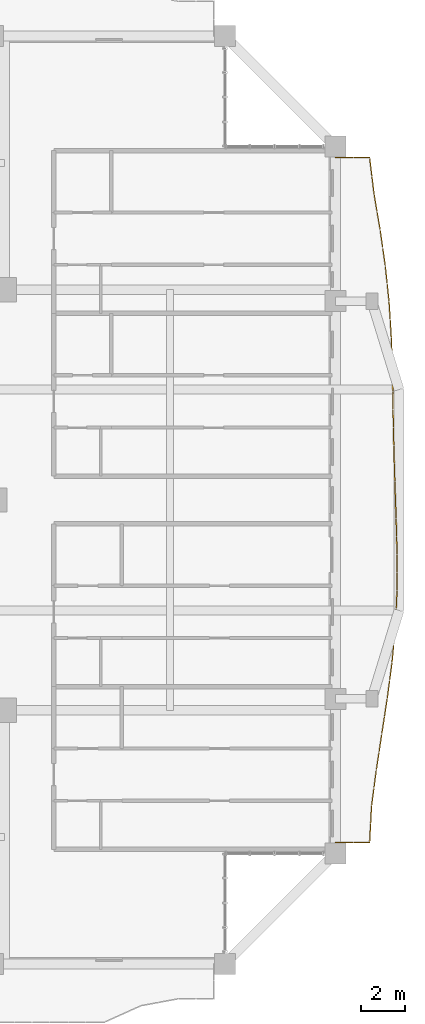
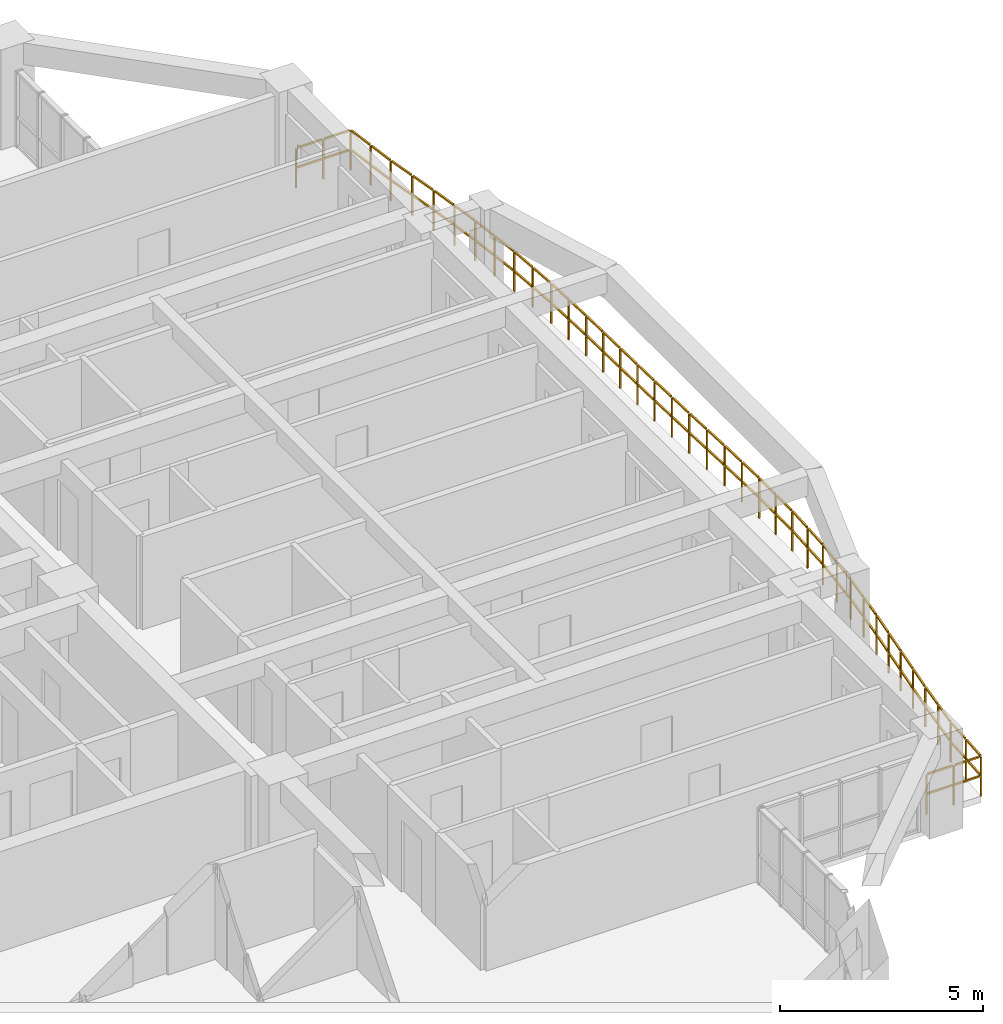
# One storey, part 22 of 23: 1 railing.
"""IFC4 building model written with IfcOpenShell, lengths in metres."""

from ifc_helpers import new_model, si_unit, direction, frame, origin, origin_2d, place, context, subcontext, project, spatial, rectangle, extrude, material, type_object, element, save


model = new_model("IFC4")

# Units and contexts
model_context = context("Model", 3, precision=1e-05, world=origin(), true_north=direction((0.0, 1.0)))
body_context = subcontext(model_context, "Body", "Model", "MODEL_VIEW")
ifc_project = project(units=[si_unit("LENGTHUNIT", "METRE"), si_unit("AREAUNIT", "SQUARE_METRE"), si_unit("VOLUMEUNIT", "CUBIC_METRE"), si_unit("PLANEANGLEUNIT", "RADIAN"), si_unit("MASSUNIT", "GRAM", prefix="KILO")], contexts=[model_context])

# Site, building, storey
site_placement = place(None, origin())
site = spatial("IfcSite", under=ifc_project, at=site_placement, CompositionType="ELEMENT")
building_placement = place(site_placement, origin())
building = spatial("IfcBuilding", under=site, at=building_placement, Name="Saelheon Loggia Tower", CompositionType="ELEMENT")
storey_placement = place(building_placement, frame((0.0, 0.0, 156.10009765625)))
storey = spatial("IfcBuildingStorey", under=building, at=storey_placement, Name="L49", CompositionType="ELEMENT", Elevation=156.10009765625)

# Railing
ifc_material = material(Name="Architectural Precast Concrete and Laminated Glass Guard", Category="concrete")
railing_type = type_object("IfcRailingType", Name="Guard_Loggia_RL_LOG", PredefinedType="BALUSTRADE", material=ifc_material)
railing_placement = place(storey_placement, frame((60.0, 11.5, 0.0)))
element("IfcRailing", 1, at=railing_placement, inside=storey, type_object=railing_type, Name="L49 East Loggia Balustrade", PredefinedType="BALUSTRADE", context=body_context, shape_type="SweptSolid", body=[
    extrude(rectangle(XDim=0.048095703125, YDim=0.048095703125, at=origin_2d()), frame((0.033203125, 0.0, 1.19580078125), z_axis=(1.0, 0.0, 0.0), x_axis=(0.0, 1.0, 0.0)), (0.0, 0.0, 1.0), 0.70849609375),
    extrude(rectangle(XDim=0.048095703125, YDim=0.048095703125, at=origin_2d()), frame((0.033203125, 0.0, 0.60986328125), z_axis=(1.0, 0.0, 0.0), x_axis=(0.0, 1.0, 0.0)), (0.0, 0.0, 1.0), 0.70849609375),
    extrude(rectangle(XDim=0.048095703125, YDim=0.048095703125, at=origin_2d()), frame((0.808349609375, 0.0, 1.19580078125), z_axis=(1.0, 0.0, 0.0), x_axis=(0.0, 1.0, 0.0)), (0.0, 0.0, 1.0), 0.70849609375),
    extrude(rectangle(XDim=0.048095703125, YDim=0.048095703125, at=origin_2d()), frame((0.808349609375, 0.0, 0.60986328125), z_axis=(1.0, 0.0, 0.0), x_axis=(0.0, 1.0, 0.0)), (0.0, 0.0, 1.0), 0.70849609375),
    extrude(rectangle(XDim=0.048095703125, YDim=0.048095703125, at=origin_2d()), frame((1.5517578125, 0.033203125, 1.19580078125), z_axis=(0.053045069927, 0.998592119214, 0.0), x_axis=(-0.998592119214, 0.053045069927, 0.0)), (0.0, 0.0, 1.0), 0.75048828125),
    extrude(rectangle(XDim=0.048095703125, YDim=0.048095703125, at=origin_2d()), frame((1.5517578125, 0.033203125, 0.60986328125), z_axis=(0.053045069927, 0.998592119214, 0.0), x_axis=(-0.998592119214, 0.053045069927, 0.0)), (0.0, 0.0, 1.0), 0.75048828125),
    extrude(rectangle(XDim=0.048095703125, YDim=0.048095703125, at=origin_2d()), frame((1.59521484375, 0.848876953125, 1.19580078125), z_axis=(0.053045069927, 0.998592119214, 0.0), x_axis=(-0.998592119214, 0.053045069927, 0.0)), (0.0, 0.0, 1.0), 0.75048828125),
    extrude(rectangle(XDim=0.048095703125, YDim=0.048095703125, at=origin_2d()), frame((1.59521484375, 0.848876953125, 0.60986328125), z_axis=(0.053045069927, 0.998592119214, 0.0), x_axis=(-0.998592119214, 0.053045069927, 0.0)), (0.0, 0.0, 1.0), 0.75048828125),
    extrude(rectangle(XDim=0.048095703125, YDim=0.048095703125, at=origin_2d()), frame((1.64111328125, 1.66455078125, 1.19580078125), z_axis=(0.130987886348, 0.991383968818, 0.0), x_axis=(-0.991383968818, 0.130987886348, 0.0)), (0.0, 0.0, 1.0), 0.75634765625),
    extrude(rectangle(XDim=0.048095703125, YDim=0.048095703125, at=origin_2d()), frame((1.64111328125, 1.66455078125, 0.60986328125), z_axis=(0.130987886348, 0.991383968818, 0.0), x_axis=(-0.991383968818, 0.130987886348, 0.0)), (0.0, 0.0, 1.0), 0.75634765625),
    extrude(rectangle(XDim=0.048095703125, YDim=0.048095703125, at=origin_2d()), frame((1.748779296875, 2.480224609375, 1.19580078125), z_axis=(0.130987886348, 0.991383968818, 0.0), x_axis=(-0.991383968818, 0.130987886348, 0.0)), (0.0, 0.0, 1.0), 0.75634765625),
    extrude(rectangle(XDim=0.048095703125, YDim=0.048095703125, at=origin_2d()), frame((1.748779296875, 2.480224609375, 0.60986328125), z_axis=(0.130987886348, 0.991383968818, 0.0), x_axis=(-0.991383968818, 0.130987886348, 0.0)), (0.0, 0.0, 1.0), 0.75634765625),
    extrude(rectangle(XDim=0.048095703125, YDim=0.048095703125, at=origin_2d()), frame((1.857177734375, 3.296142578125, 1.19580078125), z_axis=(0.150011350352, 0.988684274562, 0.0), x_axis=(-0.988684274562, 0.150011350352, 0.0)), (0.0, 0.0, 1.0), 0.758544921875),
    extrude(rectangle(XDim=0.048095703125, YDim=0.048095703125, at=origin_2d()), frame((1.857177734375, 3.296142578125, 0.60986328125), z_axis=(0.150011350352, 0.988684274562, 0.0), x_axis=(-0.988684274562, 0.150011350352, 0.0)), (0.0, 0.0, 1.0), 0.758544921875),
    extrude(rectangle(XDim=0.048095703125, YDim=0.048095703125, at=origin_2d()), frame((1.98095703125, 4.11181640625, 1.19580078125), z_axis=(0.150011350352, 0.988684274562, 0.0), x_axis=(-0.988684274562, 0.150011350352, 0.0)), (0.0, 0.0, 1.0), 0.758544921875),
    extrude(rectangle(XDim=0.048095703125, YDim=0.048095703125, at=origin_2d()), frame((1.98095703125, 4.11181640625, 0.60986328125), z_axis=(0.150011350352, 0.988684274562, 0.0), x_axis=(-0.988684274562, 0.150011350352, 0.0)), (0.0, 0.0, 1.0), 0.758544921875),
    extrude(rectangle(XDim=0.048095703125, YDim=0.048095703125, at=origin_2d()), frame((2.10498046875, 4.927734375, 1.19580078125), z_axis=(0.151601487322, 0.988441697341, 0.0), x_axis=(-0.988441697341, 0.151601487322, 0.0)), (0.0, 0.0, 1.0), 0.7587890625),
    extrude(rectangle(XDim=0.048095703125, YDim=0.048095703125, at=origin_2d()), frame((2.10498046875, 4.927734375, 0.60986328125), z_axis=(0.151601487322, 0.988441697341, 0.0), x_axis=(-0.988441697341, 0.151601487322, 0.0)), (0.0, 0.0, 1.0), 0.7587890625),
    extrude(rectangle(XDim=0.048095703125, YDim=0.048095703125, at=origin_2d()), frame((2.22998046875, 5.743408203125, 1.19580078125), z_axis=(0.151601487322, 0.988441697341, 0.0), x_axis=(-0.988441697341, 0.151601487322, 0.0)), (0.0, 0.0, 1.0), 0.7587890625),
    extrude(rectangle(XDim=0.048095703125, YDim=0.048095703125, at=origin_2d()), frame((2.22998046875, 5.743408203125, 0.60986328125), z_axis=(0.151601487322, 0.988441697341, 0.0), x_axis=(-0.988441697341, 0.151601487322, 0.0)), (0.0, 0.0, 1.0), 0.7587890625),
    extrude(rectangle(XDim=0.048095703125, YDim=0.048095703125, at=origin_2d()), frame((2.3544921875, 6.559326171875, 1.19580078125), z_axis=(0.131133680986, 0.991364694606, 0.0), x_axis=(-0.991364694606, 0.131133680986, 0.0)), (0.0, 0.0, 1.0), 0.75634765625),
    extrude(rectangle(XDim=0.048095703125, YDim=0.048095703125, at=origin_2d()), frame((2.3544921875, 6.559326171875, 0.60986328125), z_axis=(0.131133680986, 0.991364694606, 0.0), x_axis=(-0.991364694606, 0.131133680986, 0.0)), (0.0, 0.0, 1.0), 0.75634765625),
    extrude(rectangle(XDim=0.048095703125, YDim=0.048095703125, at=origin_2d()), frame((2.46240234375, 7.375, 1.19580078125), z_axis=(0.131133680986, 0.991364694606, 0.0), x_axis=(-0.991364694606, 0.131133680986, 0.0)), (0.0, 0.0, 1.0), 0.75634765625),
    extrude(rectangle(XDim=0.048095703125, YDim=0.048095703125, at=origin_2d()), frame((2.46240234375, 7.375, 0.60986328125), z_axis=(0.131133680986, 0.991364694606, 0.0), x_axis=(-0.991364694606, 0.131133680986, 0.0)), (0.0, 0.0, 1.0), 0.75634765625),
    extrude(rectangle(XDim=0.048095703125, YDim=0.048095703125, at=origin_2d()), frame((2.56884765625, 8.191162109375, 1.19580078125), z_axis=(0.091785091288, 0.99577883941, 0.0), x_axis=(-0.99577883941, 0.091785091288, 0.0)), (0.0, 0.0, 1.0), 0.752685546875),
    extrude(rectangle(XDim=0.048095703125, YDim=0.048095703125, at=origin_2d()), frame((2.56884765625, 8.191162109375, 0.60986328125), z_axis=(0.091785091288, 0.99577883941, 0.0), x_axis=(-0.99577883941, 0.091785091288, 0.0)), (0.0, 0.0, 1.0), 0.752685546875),
    extrude(rectangle(XDim=0.048095703125, YDim=0.048095703125, at=origin_2d()), frame((2.64404296875, 9.0068359375, 1.19580078125), z_axis=(0.091785091288, 0.99577883941, 0.0), x_axis=(-0.99577883941, 0.091785091288, 0.0)), (0.0, 0.0, 1.0), 0.752685546875),
    extrude(rectangle(XDim=0.048095703125, YDim=0.048095703125, at=origin_2d()), frame((2.64404296875, 9.0068359375, 0.60986328125), z_axis=(0.091785091288, 0.99577883941, 0.0), x_axis=(-0.99577883941, 0.091785091288, 0.0)), (0.0, 0.0, 1.0), 0.752685546875),
    extrude(rectangle(XDim=0.048095703125, YDim=0.048095703125, at=origin_2d()), frame((2.7177734375, 9.82275390625, 1.19580078125), z_axis=(0.04424810558, 0.999020572938, 0.0), x_axis=(-0.999020572938, 0.04424810558, 0.0)), (0.0, 0.0, 1.0), 0.750244140625),
    extrude(rectangle(XDim=0.048095703125, YDim=0.048095703125, at=origin_2d()), frame((2.7177734375, 9.82275390625, 0.60986328125), z_axis=(0.04424810558, 0.999020572938, 0.0), x_axis=(-0.999020572938, 0.04424810558, 0.0)), (0.0, 0.0, 1.0), 0.750244140625),
    extrude(rectangle(XDim=0.048095703125, YDim=0.048095703125, at=origin_2d()), frame((2.75390625, 10.638427734375, 1.19580078125), z_axis=(0.04424810558, 0.999020572938, 0.0), x_axis=(-0.999020572938, 0.04424810558, 0.0)), (0.0, 0.0, 1.0), 0.750244140625),
    extrude(rectangle(XDim=0.048095703125, YDim=0.048095703125, at=origin_2d()), frame((2.75390625, 10.638427734375, 0.60986328125), z_axis=(0.04424810558, 0.999020572938, 0.0), x_axis=(-0.999020572938, 0.04424810558, 0.0)), (0.0, 0.0, 1.0), 0.750244140625),
    extrude(rectangle(XDim=0.048095703125, YDim=0.048095703125, at=origin_2d()), frame((2.78857421875, 11.454345703125, 1.19580078125), z_axis=(0.001047589967, 0.999999451277, 0.0), x_axis=(-0.999999451277, 0.001047589967, 0.0)), (0.0, 0.0, 1.0), 0.749267578125),
    extrude(rectangle(XDim=0.048095703125, YDim=0.048095703125, at=origin_2d()), frame((2.78857421875, 11.454345703125, 0.60986328125), z_axis=(0.001047589967, 0.999999451277, 0.0), x_axis=(-0.999999451277, 0.001047589967, 0.0)), (0.0, 0.0, 1.0), 0.749267578125),
    extrude(rectangle(XDim=0.048095703125, YDim=0.048095703125, at=origin_2d()), frame((2.78955078125, 12.27001953125, 1.19580078125), z_axis=(0.001047589967, 0.999999451277, 0.0), x_axis=(-0.999999451277, 0.001047589967, 0.0)), (0.0, 0.0, 1.0), 0.749267578125),
    extrude(rectangle(XDim=0.048095703125, YDim=0.048095703125, at=origin_2d()), frame((2.78955078125, 12.27001953125, 0.60986328125), z_axis=(0.001047589967, 0.999999451277, 0.0), x_axis=(-0.999999451277, 0.001047589967, 0.0)), (0.0, 0.0, 1.0), 0.749267578125),
    extrude(rectangle(XDim=0.048095703125, YDim=0.048095703125, at=origin_2d()), frame((2.789306640625, 13.085693359375, 1.19580078125), z_axis=(-0.026326350244, 0.999653401576, 0.0), x_axis=(-0.999653401576, -0.026326350244, 0.0)), (0.0, 0.0, 1.0), 0.74951171875),
    extrude(rectangle(XDim=0.048095703125, YDim=0.048095703125, at=origin_2d()), frame((2.789306640625, 13.085693359375, 0.60986328125), z_axis=(-0.026326350244, 0.999653401576, 0.0), x_axis=(-0.999653401576, -0.026326350244, 0.0)), (0.0, 0.0, 1.0), 0.74951171875),
    extrude(rectangle(XDim=0.048095703125, YDim=0.048095703125, at=origin_2d()), frame((2.767822265625, 13.901611328125, 1.19580078125), z_axis=(-0.026326350244, 0.999653401576, 0.0), x_axis=(-0.999653401576, -0.026326350244, 0.0)), (0.0, 0.0, 1.0), 0.74951171875),
    extrude(rectangle(XDim=0.048095703125, YDim=0.048095703125, at=origin_2d()), frame((2.767822265625, 13.901611328125, 0.60986328125), z_axis=(-0.026326350244, 0.999653401576, 0.0), x_axis=(-0.999653401576, -0.026326350244, 0.0)), (0.0, 0.0, 1.0), 0.74951171875),
    extrude(rectangle(XDim=0.048095703125, YDim=0.048095703125, at=origin_2d()), frame((2.74609375, 14.71728515625, 1.19580078125), z_axis=(-0.034987542363, 0.999387748514, 0.0), x_axis=(-0.999387748514, -0.034987542363, 0.0)), (0.0, 0.0, 1.0), 0.75),
    extrude(rectangle(XDim=0.048095703125, YDim=0.048095703125, at=origin_2d()), frame((2.74609375, 14.71728515625, 0.60986328125), z_axis=(-0.034987542363, 0.999387748514, 0.0), x_axis=(-0.999387748514, -0.034987542363, 0.0)), (0.0, 0.0, 1.0), 0.75),
    extrude(rectangle(XDim=0.048095703125, YDim=0.048095703125, at=origin_2d()), frame((2.717529296875, 15.533203125, 1.19580078125), z_axis=(-0.034987542363, 0.999387748514, 0.0), x_axis=(-0.999387748514, -0.034987542363, 0.0)), (0.0, 0.0, 1.0), 0.75),
    extrude(rectangle(XDim=0.048095703125, YDim=0.048095703125, at=origin_2d()), frame((2.717529296875, 15.533203125, 0.60986328125), z_axis=(-0.034987542363, 0.999387748514, 0.0), x_axis=(-0.999387748514, -0.034987542363, 0.0)), (0.0, 0.0, 1.0), 0.75),
    extrude(rectangle(XDim=0.048095703125, YDim=0.048095703125, at=origin_2d()), frame((2.689208984375, 16.34912109375, 1.19580078125), z_axis=(-0.028717763208, 0.999587559985, 0.0), x_axis=(-0.999587559985, -0.028717763208, 0.0)), (0.0, 0.0, 1.0), 0.749755859375),
    extrude(rectangle(XDim=0.048095703125, YDim=0.048095703125, at=origin_2d()), frame((2.689208984375, 16.34912109375, 0.60986328125), z_axis=(-0.028717763208, 0.999587559985, 0.0), x_axis=(-0.999587559985, -0.028717763208, 0.0)), (0.0, 0.0, 1.0), 0.749755859375),
    extrude(rectangle(XDim=0.048095703125, YDim=0.048095703125, at=origin_2d()), frame((2.665771484375, 17.1650390625, 1.19580078125), z_axis=(-0.028717763208, 0.999587559985, 0.0), x_axis=(-0.999587559985, -0.028717763208, 0.0)), (0.0, 0.0, 1.0), 0.749755859375),
    extrude(rectangle(XDim=0.048095703125, YDim=0.048095703125, at=origin_2d()), frame((2.665771484375, 17.1650390625, 0.60986328125), z_axis=(-0.028717763208, 0.999587559985, 0.0), x_axis=(-0.999587559985, -0.028717763208, 0.0)), (0.0, 0.0, 1.0), 0.749755859375),
    extrude(rectangle(XDim=0.048095703125, YDim=0.048095703125, at=origin_2d()), frame((2.642578125, 17.980712890625, 1.19580078125), z_axis=(-0.018853278196, 0.999822261155, 0.0), x_axis=(-0.999822261155, -0.018853278196, 0.0)), (0.0, 0.0, 1.0), 0.749267578125),
    extrude(rectangle(XDim=0.048095703125, YDim=0.048095703125, at=origin_2d()), frame((2.642578125, 17.980712890625, 0.60986328125), z_axis=(-0.018853278196, 0.999822261155, 0.0), x_axis=(-0.999822261155, -0.018853278196, 0.0)), (0.0, 0.0, 1.0), 0.749267578125),
    extrude(rectangle(XDim=0.048095703125, YDim=0.048095703125, at=origin_2d()), frame((2.627197265625, 18.79638671875, 1.19580078125), z_axis=(-0.018853278196, 0.999822261155, 0.0), x_axis=(-0.999822261155, -0.018853278196, 0.0)), (0.0, 0.0, 1.0), 0.749267578125),
    extrude(rectangle(XDim=0.048095703125, YDim=0.048095703125, at=origin_2d()), frame((2.627197265625, 18.79638671875, 0.60986328125), z_axis=(-0.018853278196, 0.999822261155, 0.0), x_axis=(-0.999822261155, -0.018853278196, 0.0)), (0.0, 0.0, 1.0), 0.749267578125),
    extrude(rectangle(XDim=0.048095703125, YDim=0.048095703125, at=origin_2d()), frame((2.612060546875, 19.612060546875, 1.19580078125), z_axis=(-0.016906157432, 0.999857080707, 0.0), x_axis=(-0.999857080707, -0.016906157432, 0.0)), (0.0, 0.0, 1.0), 0.74951171875),
    extrude(rectangle(XDim=0.048095703125, YDim=0.048095703125, at=origin_2d()), frame((2.612060546875, 19.612060546875, 0.60986328125), z_axis=(-0.016906157432, 0.999857080707, 0.0), x_axis=(-0.999857080707, -0.016906157432, 0.0)), (0.0, 0.0, 1.0), 0.74951171875),
    extrude(rectangle(XDim=0.048095703125, YDim=0.048095703125, at=origin_2d()), frame((2.59814453125, 20.427978515625, 1.19580078125), z_axis=(-0.016906157432, 0.999857080707, 0.0), x_axis=(-0.999857080707, -0.016906157432, 0.0)), (0.0, 0.0, 1.0), 0.74951171875),
    extrude(rectangle(XDim=0.048095703125, YDim=0.048095703125, at=origin_2d()), frame((2.59814453125, 20.427978515625, 0.60986328125), z_axis=(-0.016906157432, 0.999857080707, 0.0), x_axis=(-0.999857080707, -0.016906157432, 0.0)), (0.0, 0.0, 1.0), 0.74951171875),
    extrude(rectangle(XDim=0.048095703125, YDim=0.048095703125, at=origin_2d()), frame((2.583984375, 21.24365234375, 1.19580078125), z_axis=(-0.031556922457, 0.999501956299, 0.0), x_axis=(-0.999501956299, -0.031556922457, 0.0)), (0.0, 0.0, 1.0), 0.749755859375),
    extrude(rectangle(XDim=0.048095703125, YDim=0.048095703125, at=origin_2d()), frame((2.583984375, 21.24365234375, 0.60986328125), z_axis=(-0.031556922457, 0.999501956299, 0.0), x_axis=(-0.999501956299, -0.031556922457, 0.0)), (0.0, 0.0, 1.0), 0.749755859375),
    extrude(rectangle(XDim=0.048095703125, YDim=0.048095703125, at=origin_2d()), frame((2.55810546875, 22.0595703125, 1.19580078125), z_axis=(-0.031556922457, 0.999501956299, 0.0), x_axis=(-0.999501956299, -0.031556922457, 0.0)), (0.0, 0.0, 1.0), 0.749755859375),
    extrude(rectangle(XDim=0.048095703125, YDim=0.048095703125, at=origin_2d()), frame((2.55810546875, 22.0595703125, 0.60986328125), z_axis=(-0.031556922457, 0.999501956299, 0.0), x_axis=(-0.999501956299, -0.031556922457, 0.0)), (0.0, 0.0, 1.0), 0.749755859375),
    extrude(rectangle(XDim=0.048095703125, YDim=0.048095703125, at=origin_2d()), frame((2.53125, 22.875244140625, 1.19580078125), z_axis=(-0.063019778754, 0.998012278224, 0.0), x_axis=(-0.998012278224, -0.063019778754, 0.0)), (0.0, 0.0, 1.0), 0.7509765625),
    extrude(rectangle(XDim=0.048095703125, YDim=0.048095703125, at=origin_2d()), frame((2.53125, 22.875244140625, 0.60986328125), z_axis=(-0.063019778754, 0.998012278224, 0.0), x_axis=(-0.998012278224, -0.063019778754, 0.0)), (0.0, 0.0, 1.0), 0.7509765625),
    extrude(rectangle(XDim=0.048095703125, YDim=0.048095703125, at=origin_2d()), frame((2.479736328125, 23.69091796875, 1.19580078125), z_axis=(-0.063019778754, 0.998012278224, 0.0), x_axis=(-0.998012278224, -0.063019778754, 0.0)), (0.0, 0.0, 1.0), 0.7509765625),
    extrude(rectangle(XDim=0.048095703125, YDim=0.048095703125, at=origin_2d()), frame((2.479736328125, 23.69091796875, 0.60986328125), z_axis=(-0.063019778754, 0.998012278224, 0.0), x_axis=(-0.998012278224, -0.063019778754, 0.0)), (0.0, 0.0, 1.0), 0.7509765625),
    extrude(rectangle(XDim=0.048095703125, YDim=0.048095703125, at=origin_2d()), frame((2.427001953125, 24.506591796875, 1.19580078125), z_axis=(-0.104173484774, 0.994559141062, 0.0), x_axis=(-0.994559141062, -0.104173484774, 0.0)), (0.0, 0.0, 1.0), 0.75390625),
    extrude(rectangle(XDim=0.048095703125, YDim=0.048095703125, at=origin_2d()), frame((2.427001953125, 24.506591796875, 0.60986328125), z_axis=(-0.104173484774, 0.994559141062, 0.0), x_axis=(-0.994559141062, -0.104173484774, 0.0)), (0.0, 0.0, 1.0), 0.75390625),
    extrude(rectangle(XDim=0.048095703125, YDim=0.048095703125, at=origin_2d()), frame((2.341552734375, 25.322509765625, 1.19580078125), z_axis=(-0.104173484774, 0.994559141062, 0.0), x_axis=(-0.994559141062, -0.104173484774, 0.0)), (0.0, 0.0, 1.0), 0.75390625),
    extrude(rectangle(XDim=0.048095703125, YDim=0.048095703125, at=origin_2d()), frame((2.341552734375, 25.322509765625, 0.60986328125), z_axis=(-0.104173484774, 0.994559141062, 0.0), x_axis=(-0.994559141062, -0.104173484774, 0.0)), (0.0, 0.0, 1.0), 0.75390625),
    extrude(rectangle(XDim=0.048095703125, YDim=0.048095703125, at=origin_2d()), frame((2.2548828125, 26.13818359375, 1.19580078125), z_axis=(-0.142478758225, 0.989797859896, 0.0), x_axis=(-0.989797859896, -0.142478758225, 0.0)), (0.0, 0.0, 1.0), 0.7578125),
    extrude(rectangle(XDim=0.048095703125, YDim=0.048095703125, at=origin_2d()), frame((2.2548828125, 26.13818359375, 0.60986328125), z_axis=(-0.142478758225, 0.989797859896, 0.0), x_axis=(-0.989797859896, -0.142478758225, 0.0)), (0.0, 0.0, 1.0), 0.7578125),
    extrude(rectangle(XDim=0.048095703125, YDim=0.048095703125, at=origin_2d()), frame((2.137451171875, 26.953857421875, 1.19580078125), z_axis=(-0.142478758225, 0.989797859896, 0.0), x_axis=(-0.989797859896, -0.142478758225, 0.0)), (0.0, 0.0, 1.0), 0.7578125),
    extrude(rectangle(XDim=0.048095703125, YDim=0.048095703125, at=origin_2d()), frame((2.137451171875, 26.953857421875, 0.60986328125), z_axis=(-0.142478758225, 0.989797859896, 0.0), x_axis=(-0.989797859896, -0.142478758225, 0.0)), (0.0, 0.0, 1.0), 0.7578125),
    extrude(rectangle(XDim=0.048095703125, YDim=0.048095703125, at=origin_2d()), frame((2.01904296875, 27.76953125, 1.19580078125), z_axis=(-0.166001960269, 0.986125422645, 0.0), x_axis=(-0.986125422645, -0.166001960269, 0.0)), (0.0, 0.0, 1.0), 0.7607421875),
    extrude(rectangle(XDim=0.048095703125, YDim=0.048095703125, at=origin_2d()), frame((2.01904296875, 27.76953125, 0.60986328125), z_axis=(-0.166001960269, 0.986125422645, 0.0), x_axis=(-0.986125422645, -0.166001960269, 0.0)), (0.0, 0.0, 1.0), 0.7607421875),
    extrude(rectangle(XDim=0.048095703125, YDim=0.048095703125, at=origin_2d()), frame((1.8818359375, 28.58544921875, 1.19580078125), z_axis=(-0.166001960269, 0.986125422645, 0.0), x_axis=(-0.986125422645, -0.166001960269, 0.0)), (0.0, 0.0, 1.0), 0.7607421875),
    extrude(rectangle(XDim=0.048095703125, YDim=0.048095703125, at=origin_2d()), frame((1.8818359375, 28.58544921875, 0.60986328125), z_axis=(-0.166001960269, 0.986125422645, 0.0), x_axis=(-0.986125422645, -0.166001960269, 0.0)), (0.0, 0.0, 1.0), 0.7607421875),
    extrude(rectangle(XDim=0.048095703125, YDim=0.048095703125, at=origin_2d()), frame((1.745849609375, 29.4013671875, 1.19580078125), z_axis=(-0.121639737456, 0.99257431675, 0.0), x_axis=(-0.99257431675, -0.121639737456, 0.0)), (0.0, 0.0, 1.0), 0.75537109375),
    extrude(rectangle(XDim=0.048095703125, YDim=0.048095703125, at=origin_2d()), frame((1.745849609375, 29.4013671875, 0.60986328125), z_axis=(-0.121639737456, 0.99257431675, 0.0), x_axis=(-0.99257431675, -0.121639737456, 0.0)), (0.0, 0.0, 1.0), 0.75537109375),
    extrude(rectangle(XDim=0.048095703125, YDim=0.048095703125, at=origin_2d()), frame((1.64599609375, 30.21728515625, 1.19580078125), z_axis=(-0.121639737456, 0.99257431675, 0.0), x_axis=(-0.99257431675, -0.121639737456, 0.0)), (0.0, 0.0, 1.0), 0.75537109375),
    extrude(rectangle(XDim=0.048095703125, YDim=0.048095703125, at=origin_2d()), frame((1.64599609375, 30.21728515625, 0.60986328125), z_axis=(-0.121639737456, 0.99257431675, 0.0), x_axis=(-0.99257431675, -0.121639737456, 0.0)), (0.0, 0.0, 1.0), 0.75537109375),
    extrude(rectangle(XDim=0.048095703125, YDim=0.048095703125, at=origin_2d()), frame((1.516845703125, 31.0, 1.19580078125), z_axis=(-1.0, 0.0, 0.0), x_axis=(0.0, -1.0, 0.0)), (0.0, 0.0, 1.0), 0.70849609375),
    extrude(rectangle(XDim=0.048095703125, YDim=0.048095703125, at=origin_2d()), frame((1.516845703125, 31.0, 0.60986328125), z_axis=(-1.0, 0.0, 0.0), x_axis=(0.0, -1.0, 0.0)), (0.0, 0.0, 1.0), 0.70849609375),
    extrude(rectangle(XDim=0.048095703125, YDim=0.048095703125, at=origin_2d()), frame((0.74169921875, 31.0, 1.19580078125), z_axis=(-1.0, 0.0, 0.0), x_axis=(0.0, -1.0, 0.0)), (0.0, 0.0, 1.0), 0.70849609375),
    extrude(rectangle(XDim=0.048095703125, YDim=0.048095703125, at=origin_2d()), frame((0.74169921875, 31.0, 0.60986328125), z_axis=(-1.0, 0.0, 0.0), x_axis=(0.0, -1.0, 0.0)), (0.0, 0.0, 1.0), 0.70849609375),
    extrude(rectangle(XDim=0.0419921875, YDim=0.0419921875, at=origin_2d()), origin(), (0.0, 0.0, 1.0), 1.16796875),
    extrude(rectangle(XDim=0.0419921875, YDim=0.0419921875, at=origin_2d()), frame((0.77490234375, 0.0, 0.0)), (0.0, 0.0, 1.0), 1.16796875),
    extrude(rectangle(XDim=0.0419921875, YDim=0.0419921875, at=origin_2d()), frame((1.550048828125, 0.0, 0.0)), (0.0, 0.0, 1.0), 1.16796875),
    extrude(rectangle(XDim=0.0419921875, YDim=0.0419921875, at=origin_2d()), frame((1.59326171875, 0.81591796875, 0.0)), (0.0, 0.0, 1.0), 1.16796875),
    extrude(rectangle(XDim=0.0419921875, YDim=0.0419921875, at=origin_2d()), frame((1.63671875, 1.631591796875, 0.0)), (0.0, 0.0, 1.0), 1.16796875),
    extrude(rectangle(XDim=0.0419921875, YDim=0.0419921875, at=origin_2d()), frame((1.74462890625, 2.447265625, 0.0)), (0.0, 0.0, 1.0), 1.16796875),
    extrude(rectangle(XDim=0.0419921875, YDim=0.0419921875, at=origin_2d()), frame((1.852294921875, 3.26318359375, 0.0)), (0.0, 0.0, 1.0), 1.16796875),
    extrude(rectangle(XDim=0.0419921875, YDim=0.0419921875, at=origin_2d()), frame((1.97607421875, 4.0791015625, 0.0)), (0.0, 0.0, 1.0), 1.16796875),
    extrude(rectangle(XDim=0.0419921875, YDim=0.0419921875, at=origin_2d()), frame((2.099853515625, 4.894775390625, 0.0)), (0.0, 0.0, 1.0), 1.16796875),
    extrude(rectangle(XDim=0.0419921875, YDim=0.0419921875, at=origin_2d()), frame((2.22509765625, 5.71044921875, 0.0)), (0.0, 0.0, 1.0), 1.16796875),
    extrude(rectangle(XDim=0.0419921875, YDim=0.0419921875, at=origin_2d()), frame((2.35009765625, 6.5263671875, 0.0)), (0.0, 0.0, 1.0), 1.16796875),
    extrude(rectangle(XDim=0.0419921875, YDim=0.0419921875, at=origin_2d()), frame((2.4580078125, 7.34228515625, 0.0)), (0.0, 0.0, 1.0), 1.16796875),
    extrude(rectangle(XDim=0.0419921875, YDim=0.0419921875, at=origin_2d()), frame((2.56591796875, 8.157958984375, 0.0)), (0.0, 0.0, 1.0), 1.16796875),
    extrude(rectangle(XDim=0.0419921875, YDim=0.0419921875, at=origin_2d()), frame((2.64111328125, 8.9736328125, 0.0)), (0.0, 0.0, 1.0), 1.16796875),
    extrude(rectangle(XDim=0.0419921875, YDim=0.0419921875, at=origin_2d()), frame((2.71630859375, 9.78955078125, 0.0)), (0.0, 0.0, 1.0), 1.16796875),
    extrude(rectangle(XDim=0.0419921875, YDim=0.0419921875, at=origin_2d()), frame((2.75244140625, 10.60546875, 0.0)), (0.0, 0.0, 1.0), 1.16796875),
    extrude(rectangle(XDim=0.0419921875, YDim=0.0419921875, at=origin_2d()), frame((2.78857421875, 11.421142578125, 0.0)), (0.0, 0.0, 1.0), 1.16796875),
    extrude(rectangle(XDim=0.0419921875, YDim=0.0419921875, at=origin_2d()), frame((2.78955078125, 12.23681640625, 0.0)), (0.0, 0.0, 1.0), 1.16796875),
    extrude(rectangle(XDim=0.0419921875, YDim=0.0419921875, at=origin_2d()), frame((2.790283203125, 13.052490234375, 0.0)), (0.0, 0.0, 1.0), 1.16796875),
    extrude(rectangle(XDim=0.0419921875, YDim=0.0419921875, at=origin_2d()), frame((2.768798828125, 13.8681640625, 0.0)), (0.0, 0.0, 1.0), 1.16796875),
    extrude(rectangle(XDim=0.0419921875, YDim=0.0419921875, at=origin_2d()), frame((2.747314453125, 14.68408203125, 0.0)), (0.0, 0.0, 1.0), 1.16796875),
    extrude(rectangle(XDim=0.0419921875, YDim=0.0419921875, at=origin_2d()), frame((2.71875, 15.5, 0.0)), (0.0, 0.0, 1.0), 1.16796875),
    extrude(rectangle(XDim=0.0419921875, YDim=0.0419921875, at=origin_2d()), frame((2.690185546875, 16.31591796875, 0.0)), (0.0, 0.0, 1.0), 1.16796875),
    extrude(rectangle(XDim=0.0419921875, YDim=0.0419921875, at=origin_2d()), frame((2.666748046875, 17.1318359375, 0.0)), (0.0, 0.0, 1.0), 1.16796875),
    extrude(rectangle(XDim=0.0419921875, YDim=0.0419921875, at=origin_2d()), frame((2.643310546875, 17.947509765625, 0.0)), (0.0, 0.0, 1.0), 1.16796875),
    extrude(rectangle(XDim=0.0419921875, YDim=0.0419921875, at=origin_2d()), frame((2.6279296875, 18.76318359375, 0.0)), (0.0, 0.0, 1.0), 1.16796875),
    extrude(rectangle(XDim=0.0419921875, YDim=0.0419921875, at=origin_2d()), frame((2.612548828125, 19.578857421875, 0.0)), (0.0, 0.0, 1.0), 1.16796875),
    extrude(rectangle(XDim=0.0419921875, YDim=0.0419921875, at=origin_2d()), frame((2.5986328125, 20.39453125, 0.0)), (0.0, 0.0, 1.0), 1.16796875),
    extrude(rectangle(XDim=0.0419921875, YDim=0.0419921875, at=origin_2d()), frame((2.5849609375, 21.21044921875, 0.0)), (0.0, 0.0, 1.0), 1.16796875),
    extrude(rectangle(XDim=0.0419921875, YDim=0.0419921875, at=origin_2d()), frame((2.55908203125, 22.0263671875, 0.0)), (0.0, 0.0, 1.0), 1.16796875),
    extrude(rectangle(XDim=0.0419921875, YDim=0.0419921875, at=origin_2d()), frame((2.533447265625, 22.842041015625, 0.0)), (0.0, 0.0, 1.0), 1.16796875),
    extrude(rectangle(XDim=0.0419921875, YDim=0.0419921875, at=origin_2d()), frame((2.48193359375, 23.65771484375, 0.0)), (0.0, 0.0, 1.0), 1.16796875),
    extrude(rectangle(XDim=0.0419921875, YDim=0.0419921875, at=origin_2d()), frame((2.430419921875, 24.4736328125, 0.0)), (0.0, 0.0, 1.0), 1.16796875),
    extrude(rectangle(XDim=0.0419921875, YDim=0.0419921875, at=origin_2d()), frame((2.344970703125, 25.28955078125, 0.0)), (0.0, 0.0, 1.0), 1.16796875),
    extrude(rectangle(XDim=0.0419921875, YDim=0.0419921875, at=origin_2d()), frame((2.259521484375, 26.105224609375, 0.0)), (0.0, 0.0, 1.0), 1.16796875),
    extrude(rectangle(XDim=0.0419921875, YDim=0.0419921875, at=origin_2d()), frame((2.14208984375, 26.9208984375, 0.0)), (0.0, 0.0, 1.0), 1.16796875),
    extrude(rectangle(XDim=0.0419921875, YDim=0.0419921875, at=origin_2d()), frame((2.024658203125, 27.73681640625, 0.0)), (0.0, 0.0, 1.0), 1.16796875),
    extrude(rectangle(XDim=0.0419921875, YDim=0.0419921875, at=origin_2d()), frame((1.88720703125, 28.552734375, 0.0)), (0.0, 0.0, 1.0), 1.16796875),
    extrude(rectangle(XDim=0.0419921875, YDim=0.0419921875, at=origin_2d()), frame((1.75, 29.368408203125, 0.0)), (0.0, 0.0, 1.0), 1.16796875),
    extrude(rectangle(XDim=0.0419921875, YDim=0.0419921875, at=origin_2d()), frame((1.64990234375, 30.18408203125, 0.0)), (0.0, 0.0, 1.0), 1.16796875),
    extrude(rectangle(XDim=0.0419921875, YDim=0.0419921875, at=origin_2d()), frame((1.550048828125, 31.0, 0.0)), (0.0, 0.0, 1.0), 1.16796875),
    extrude(rectangle(XDim=0.0419921875, YDim=0.0419921875, at=origin_2d()), frame((0.77490234375, 31.0, 0.0)), (0.0, 0.0, 1.0), 1.16796875),
    extrude(rectangle(XDim=0.0419921875, YDim=0.0419921875, at=origin_2d()), frame((0.0, 31.0, 0.0)), (0.0, 0.0, 1.0), 1.16796875),
])

save(model, "model.ifc")
